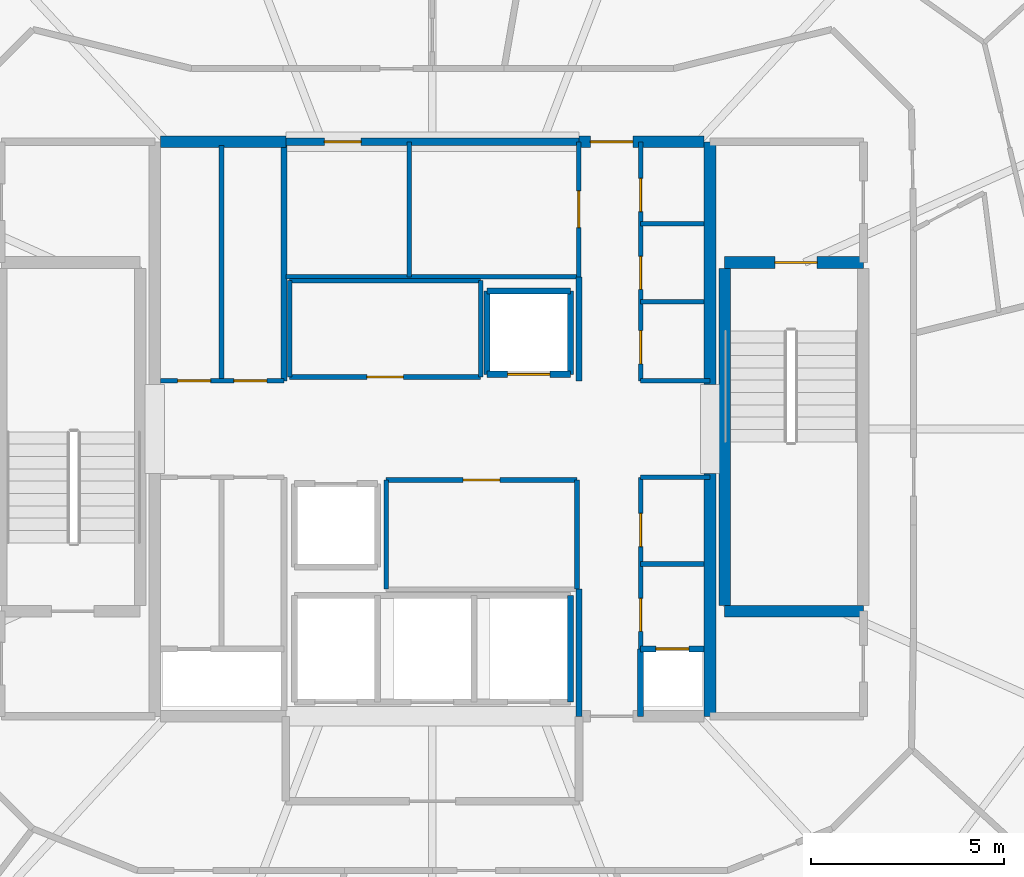
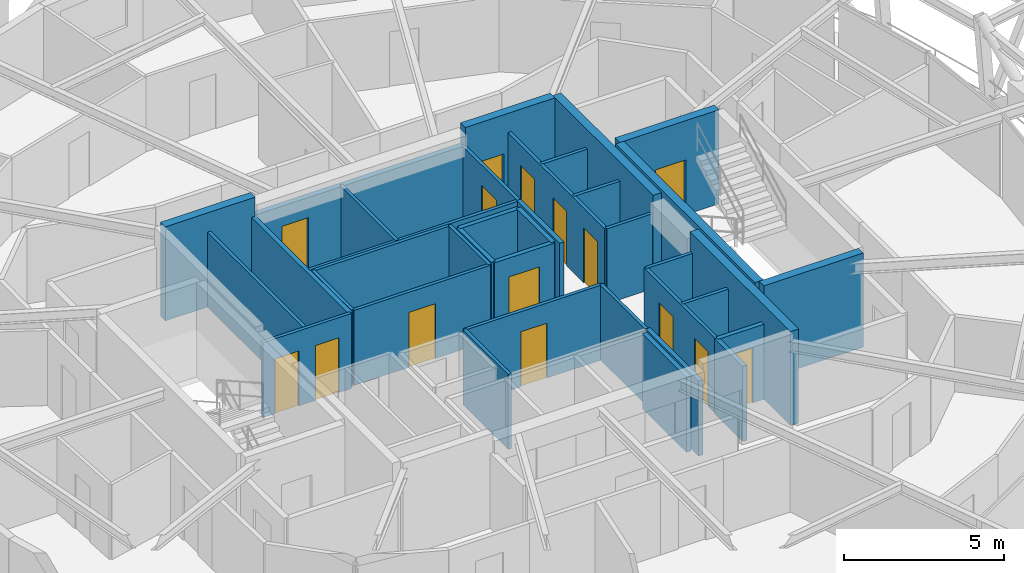
# One storey, part 12 of 15: 37 walls, 15 doors, 15 openings.
"""IFC4 building model written with IfcOpenShell, lengths in metres."""

import ifcopenshell
import ifcopenshell.guid

model = None  # the IFC model being written
_history = None  # IfcOwnerHistory: only IFC2X3 demands one
_inside = {}  # id of a spatial element -> (the spatial element, [elements in it])
_under = {}  # id of a project, library or spatial element -> (it, [spatial elements below it])
_declared = {}  # id of a project -> (the project, [libraries it declares])
_typed = {}  # id of a type object -> (the type object, [elements of that type])
_made_of = {}  # id of a material, layer set ... -> (it, [elements and type objects made of it])


def new_model(schema):
    """Start an empty IFC model of exactly this schema.

    Asked for "IFC4X3", IfcOpenShell would pick the latest addendum, in which some entities
    have other attributes; the version numbers below select the first issue.
    IFC2X3 requires an IfcOwnerHistory on every rooted entity: one is made here for all.
    """
    global model, _history
    if schema == "IFC4X3":
        model = ifcopenshell.file(schema_version=(4, 3, 0, 0))
    else:
        model = ifcopenshell.file(schema=schema)
    _inside.clear()
    _under.clear()
    _declared.clear()
    _typed.clear()
    _made_of.clear()
    _history = None
    if model.schema == "IFC2X3":
        org = make("IfcOrganization", Name="unknown")
        user = make(
            "IfcPersonAndOrganization",
            ThePerson=make("IfcPerson", FamilyName="unknown"),
            TheOrganization=org,
        )
        app = make(
            "IfcApplication",
            ApplicationDeveloper=org,
            Version="unknown",
            ApplicationFullName="unknown",
            ApplicationIdentifier="unknown",
        )
        _history = make(
            "IfcOwnerHistory",
            OwningUser=user,
            OwningApplication=app,
            ChangeAction="ADDED",
            CreationDate=0,
        )
    return model


def make(cls, **values):
    """One entity of the class cls with the attributes given. An attribute that is None is left unset."""
    return model.create_entity(
        cls, **{name: value for name, value in values.items() if value is not None}
    )


def rooted(cls, **values):
    """An entity with a GlobalId (a new one), such as an element, a storey or a relation."""
    return make(cls, GlobalId=ifcopenshell.guid.new(), OwnerHistory=_history, **values)


def si_unit(unit_type, name, prefix=None):
    """IfcSIUnit, for example si_unit("LENGTHUNIT", "METRE", prefix="MILLI")."""
    return make("IfcSIUnit", UnitType=unit_type, Prefix=prefix, Name=name)


def assignment(units):
    """IfcUnitAssignment: the units of a project."""
    return None if units is None else make("IfcUnitAssignment", Units=units)


def point(xyz):
    """IfcCartesianPoint."""
    return None if xyz is None else make("IfcCartesianPoint", Coordinates=xyz)


def direction(xyz):
    """IfcDirection."""
    return None if xyz is None else make("IfcDirection", DirectionRatios=xyz)


def frame(location, z_axis=None, x_axis=None):
    """IfcAxis2Placement3D, a coordinate frame: its origin and axes. An axis left out is left unset."""
    return make(
        "IfcAxis2Placement3D",
        Location=point(location),
        Axis=direction(z_axis),
        RefDirection=direction(x_axis),
    )


def frame_2d(location, x_axis=None):
    """IfcAxis2Placement2D, a coordinate frame in the plane: its origin and x axis."""
    return make(
        "IfcAxis2Placement2D", Location=point(location), RefDirection=direction(x_axis)
    )


def origin():
    """The frame at (0, 0, 0) with its axes left unset."""
    return frame((0.0, 0.0, 0.0))


def place(relative_to, where):
    """IfcLocalPlacement: puts the frame where relative to a parent placement (None: the world)."""
    return make(
        "IfcLocalPlacement", PlacementRelTo=relative_to, RelativePlacement=where
    )


def context(
    kind, dimensions, precision=None, world=None, true_north=None, identifier=None
):
    """IfcGeometricRepresentationContext, for example the 3D "Model" context."""
    return make(
        "IfcGeometricRepresentationContext",
        ContextIdentifier=identifier,
        ContextType=kind,
        CoordinateSpaceDimension=dimensions,
        Precision=precision,
        WorldCoordinateSystem=world,
        TrueNorth=true_north,
    )


def subcontext(parent, identifier, kind, view, scale=None):
    """IfcGeometricRepresentationSubContext, for example "Body" below "Model"."""
    return make(
        "IfcGeometricRepresentationSubContext",
        ContextIdentifier=identifier,
        ContextType=kind,
        ParentContext=parent,
        TargetScale=scale,
        TargetView=view,
    )


def project(units=None, contexts=None):
    """IfcProject with its units and contexts."""
    return rooted(
        "IfcProject",
        Name="project",
        RepresentationContexts=contexts,
        UnitsInContext=assignment(units),
    )


def spatial(cls, under=None, at=None, **own):
    """A site, building, storey or space (cls), placed at a placement, below another one or the project."""
    s = rooted(cls, ObjectPlacement=at, **own)
    if under is not None:
        _under.setdefault(under.id(), (under, []))[1].append(s)
    return s


def profile(cls, at=None, kind="AREA", **sizes):
    """A parametric profile (cls). Its sizes go by their IFC names, for example OverallWidth=200.0."""
    return make(cls, ProfileType=kind, Position=at, **sizes)


def rectangle(**sizes):
    """IfcRectangleProfileDef."""
    return profile("IfcRectangleProfileDef", **sizes)


def extrude(swept, where, along, depth):
    """IfcExtrudedAreaSolid: the profile swept, set in the frame where, extruded along a direction by depth."""
    return make(
        "IfcExtrudedAreaSolid",
        SweptArea=swept,
        Position=where,
        ExtrudedDirection=direction(along),
        Depth=depth,
    )


def shape(context_of_items, identifier, shape_type, items):
    """IfcShapeRepresentation: the items that make up one representation, for example the "Body"."""
    return make(
        "IfcShapeRepresentation",
        ContextOfItems=context_of_items,
        RepresentationIdentifier=identifier,
        RepresentationType=shape_type,
        Items=items,
    )


def material(Name=None, Category=None):
    """IfcMaterial."""
    return make("IfcMaterial", Name=Name, Category=Category)


def layer(
    of_material, thickness, ventilated=None, Name=None, Category=None, Priority=None
):
    """IfcMaterialLayer: one layer of a wall or slab, of a material (None: an air gap)."""
    return make(
        "IfcMaterialLayer",
        Material=of_material,
        LayerThickness=thickness,
        IsVentilated=ventilated,
        Name=Name,
        Category=Category,
        Priority=Priority,
    )


def layer_set(layers, Name=None):
    """IfcMaterialLayerSet."""
    return make("IfcMaterialLayerSet", MaterialLayers=layers, LayerSetName=Name)


def made_of(thing, what):
    """Note that an element or type object is made of a material, layer set ...; save() writes the relation."""
    if what is not None:
        _made_of.setdefault(what.id(), (what, []))[1].append(thing)
    return thing


def type_object(cls, material=None, **own):
    """A type object (cls), such as IfcWallType, which elements share."""
    return made_of(rooted(cls, **own), material)


def element(
    cls,
    number,
    at=None,
    inside=None,
    cuts=None,
    type_object=None,
    material=None,
    context=None,
    identifier="Body",
    shape_type=None,
    held_by="IfcProductDefinitionShape",
    body=None,
    shapes=None,
    **own,
):
    """One element of the class cls, such as IfcWall. Its Tag is "e" and its number.

    at: its placement. inside: the storey or other place that contains it. cuts: it is an
    opening in that element (IfcRelVoidsElement). A single representation is given by context,
    identifier, shape_type and body (its items); several are given by shapes. held_by: the class
    of the entity that holds the representations. save() writes the other relations.
    """
    e = rooted(cls, Tag="e%d" % number, ObjectPlacement=at, **own)
    if body is not None:
        shapes = [shape(context, identifier, shape_type, body)]
    if shapes is not None:
        e.Representation = make(held_by, Representations=shapes)
    if inside is not None:
        _inside.setdefault(inside.id(), (inside, []))[1].append(e)
    if cuts is not None:
        rooted(
            "IfcRelVoidsElement", RelatingBuildingElement=cuts, RelatedOpeningElement=e
        )
    if type_object is not None:
        _typed.setdefault(type_object.id(), (type_object, []))[1].append(e)
    return made_of(e, material)


def fill(opening, filler):
    """IfcRelFillsElement: the door or window that sits in an opening."""
    return rooted(
        "IfcRelFillsElement",
        RelatingOpeningElement=opening,
        RelatedBuildingElement=filler,
    )


def aggregate(whole, parts):
    """IfcRelAggregates: a whole, such as a stair, and the parts it consists of."""
    return rooted("IfcRelAggregates", RelatingObject=whole, RelatedObjects=parts)


def save(model, path):
    """Write the relations noted so far, then the file.

    IfcRelAggregates (storeys below a building ...), IfcRelContainedInSpatialStructure (elements
    in a storey), IfcRelDefinesByType, IfcRelAssociatesMaterial and IfcRelDeclares: one each for
    every whole, place, type object, material and project.
    """
    for whole, parts in _under.values():
        aggregate(whole, parts)
    for where, things in _inside.values():
        rooted(
            "IfcRelContainedInSpatialStructure",
            RelatedElements=things,
            RelatingStructure=where,
        )
    for kind, things in _typed.values():
        rooted("IfcRelDefinesByType", RelatedObjects=things, RelatingType=kind)
    for what, things in _made_of.values():
        rooted("IfcRelAssociatesMaterial", RelatedObjects=things, RelatingMaterial=what)
    for by, libraries in _declared.values():
        rooted("IfcRelDeclares", RelatingContext=by, RelatedDefinitions=libraries)
    model.write(path)


model = new_model("IFC4")

# Units and contexts
model_context = context("Model", 3, precision=1e-05, world=origin(), true_north=direction((0.0, 1.0)))
body_context = subcontext(model_context, "Body", "Model", "MODEL_VIEW")
ifc_project = project(units=[si_unit("LENGTHUNIT", "METRE"), si_unit("AREAUNIT", "SQUARE_METRE"), si_unit("VOLUMEUNIT", "CUBIC_METRE"), si_unit("PLANEANGLEUNIT", "RADIAN"), si_unit("MASSUNIT", "GRAM", prefix="KILO")], contexts=[model_context])

# Site, building, storey
site_placement = place(None, origin())
site = spatial("IfcSite", under=ifc_project, at=site_placement, CompositionType="ELEMENT")
building_placement = place(site_placement, origin())
building = spatial("IfcBuilding", under=site, at=building_placement, Name="Veldorina Hangang Commons", CompositionType="ELEMENT")
storey_placement = place(building_placement, frame((0.0, 0.0, 268.800048828125)))
storey = spatial("IfcBuildingStorey", under=building, at=storey_placement, Name="L70", CompositionType="ELEMENT", Elevation=268.800048828125)

# Walls
ifc_material_1 = material(Name="Concrete C50/60", Category="concrete")
ifc_layer_1 = layer(ifc_material_1, 0.300048828125)
ifc_layer_set_1 = layer_set([ifc_layer_1], Name="Concrete C50/60")
wall_type_1 = type_object("IfcWallType", Name="CW-RC300-C50", PredefinedType="SHEAR", material=ifc_layer_set_1)
for number, where, z_axis, x_axis, name in (
    (1, (39.199951171875, 16.550048828125, 0.0), (0.0, 0.0, 1.0), (0.0, 1.0, 0.0), "L70 E south core shear wall"),
    (2, (39.199951171875, 25.14990234375, 0.0), (0.0, 0.0, 1.0), (0.0, 1.0, 0.0), "L70 E north core shear wall"),
):
    element("IfcWall", number, at=place(storey_placement, frame(where, z_axis=z_axis, x_axis=x_axis)), inside=storey, type_object=wall_type_1, Name=name, PredefinedType="SHEAR", context=body_context, shape_type="SweptSolid", body=[
        extrude(rectangle(XDim=6.300048828125, YDim=0.300048828125, at=frame_2d((3.14990234375, 0.0))), origin(), (0.0, 0.0, 1.0), 3.599853515625),
    ])
wall_1_placement = place(storey_placement, frame((24.949951171875, 31.449951171875, 0.0), z_axis=(0.0, 0.0, 1.0), x_axis=(1.0, 0.0, 0.0)))
element("IfcWall", 3, at=wall_1_placement, inside=storey, type_object=wall_type_1, Name="L70 north-west core shear wall", PredefinedType="SHEAR", context=body_context, shape_type="SweptSolid", body=[
    extrude(rectangle(XDim=3.25, YDim=0.300048828125, at=frame_2d((1.625, 0.0))), origin(), (0.0, 0.0, 1.0), 3.599853515625),
])

# Wall, opening, door
wall_2_placement = place(storey_placement, frame((35.800048828125, 31.449951171875, 0.0), z_axis=(0.0, 0.0, 1.0), x_axis=(1.0, 0.0, 0.0)))
wall_2 = element("IfcWall", 4, at=wall_2_placement, inside=storey, type_object=wall_type_1, Name="L70 north-east core shear wall", PredefinedType="SHEAR", context=body_context, shape_type="SweptSolid", body=[
    extrude(rectangle(XDim=3.25, YDim=0.300048828125, at=frame_2d((1.625, 0.0))), origin(), (0.0, 0.0, 1.0), 3.599853515625),
])
opening_1_placement = place(wall_2_placement, frame((0.300048828125, 0.0, 0.0)))
opening_1 = element("IfcOpeningElement", 5, at=opening_1_placement, cuts=wall_2, Name="Opening D-08", PredefinedType="OPENING", context=body_context, shape_type="SweptSolid", body=[
    extrude(rectangle(XDim=1.10009765625, YDim=2.10009765625, at=frame_2d((0.550048828125, 1.050048828125))), frame((0.0, 0.16015625, 0.0), z_axis=(0.0, -1.0, 0.0), x_axis=(1.0, 0.0, 0.0)), (0.0, 0.0, 1.0), 0.320068359375),
])
ifc_material_2 = material(Name="Steel Fire-Rated Smoke Seal", Category="steel")
door_type_1 = type_object("IfcDoorType", Name="DR-FIRE-1100", OperationType="SINGLE_SWING_RIGHT", PredefinedType="DOOR", material=ifc_material_2)
door_1_placement = place(opening_1_placement, origin())
door_1 = element("IfcDoor", 6, at=door_1_placement, inside=storey, type_object=door_type_1, Name="L70 central lift lobby north corridor door", OperationType="SINGLE_SWING_LEFT", OverallHeight=2.10009765625, OverallWidth=1.10009765625, PredefinedType="DOOR", context=body_context, shape_type="SweptSolid", body=[
    extrude(rectangle(XDim=1.10009765625, YDim=2.10009765625, at=frame_2d((0.550048828125, 1.050048828125))), frame((0.0, 0.02490234375, 0.0), z_axis=(0.0, -1.0, 0.0), x_axis=(1.0, 0.0, 0.0)), (0.0, 0.0, 1.0), 0.050048828125),
])
fill(opening_1, door_1)

# Walls
ifc_layer_2 = layer(ifc_material_1, 0.300048828125)
ifc_layer_set_2 = layer_set([ifc_layer_2], Name="Concrete C50/60")
wall_type_2 = type_object("IfcWallType", Name="SW-STAIR-300", PredefinedType="SHEAR", material=ifc_layer_set_2)
wall_3_placement = place(storey_placement, frame((39.580078125, 19.429931640625, 0.0), z_axis=(0.0, 0.0, 1.0), x_axis=(0.0, 1.0, 0.0)))
element("IfcWall", 7, at=wall_3_placement, inside=storey, type_object=wall_type_2, Name="L70 ST2 inner stair shear wall", PredefinedType="SHEAR", context=body_context, shape_type="SweptSolid", body=[
    extrude(rectangle(XDim=8.739990234375, YDim=0.300048828125, at=frame_2d((4.3701171875, 0.0))), origin(), (0.0, 0.0, 1.0), 3.599853515625),
])
wall_4_placement = place(storey_placement, frame((39.580078125, 19.280029296875, 0.0), z_axis=(0.0, 0.0, 1.0), x_axis=(1.0, 0.0, 0.0)))
element("IfcWall", 8, at=wall_4_placement, inside=storey, type_object=wall_type_2, Name="L70 ST2 south stair shear wall", PredefinedType="SHEAR", context=body_context, shape_type="SweptSolid", body=[
    extrude(rectangle(XDim=3.599853515625, YDim=0.300048828125, at=frame_2d((1.7998046875, 0.0))), origin(), (0.0, 0.0, 1.0), 3.599853515625),
])

# Wall, opening, door
wall_5_placement = place(storey_placement, frame((39.580078125, 28.320068359375, 0.0), z_axis=(0.0, 0.0, 1.0), x_axis=(1.0, 0.0, 0.0)))
wall_5 = element("IfcWall", 9, at=wall_5_placement, inside=storey, type_object=wall_type_2, Name="L70 ST2 north stair shear wall", PredefinedType="SHEAR", context=body_context, shape_type="SweptSolid", body=[
    extrude(rectangle(XDim=3.599853515625, YDim=0.300048828125, at=frame_2d((1.7998046875, 0.0))), origin(), (0.0, 0.0, 1.0), 3.599853515625),
])
opening_2_placement = place(wall_5_placement, frame((1.300048828125, 0.0, 0.0)))
opening_2 = element("IfcOpeningElement", 10, at=opening_2_placement, cuts=wall_5, Name="Opening D-08", PredefinedType="OPENING", context=body_context, shape_type="SweptSolid", body=[
    extrude(rectangle(XDim=1.10009765625, YDim=2.10009765625, at=frame_2d((0.550048828125, 1.050048828125))), frame((0.0, 0.16015625, 0.0), z_axis=(0.0, -1.0, 0.0), x_axis=(1.0, 0.0, 0.0)), (0.0, 0.0, 1.0), 0.320068359375),
])
door_2_placement = place(opening_2_placement, origin())
door_2 = element("IfcDoor", 11, at=door_2_placement, inside=storey, type_object=door_type_1, Name="L70 Special Escape Stair ST-2 door", OperationType="SINGLE_SWING_RIGHT", OverallHeight=2.10009765625, OverallWidth=1.10009765625, PredefinedType="DOOR", context=body_context, shape_type="SweptSolid", body=[
    extrude(rectangle(XDim=1.10009765625, YDim=2.10009765625, at=frame_2d((0.550048828125, 1.050048828125))), frame((0.0, 0.02490234375, 0.0), z_axis=(0.0, -1.0, 0.0), x_axis=(1.0, 0.0, 0.0)), (0.0, 0.0, 1.0), 0.050048828125),
])
fill(opening_2, door_2)

# Walls
ifc_material_3 = material(Name="Gypsum Fire-Rated Twin Stud Wall", Category="gypsum")
ifc_layer_3 = layer(ifc_material_3, 0.159912109375)
ifc_layer_set_3 = layer_set([ifc_layer_3], Name="Gypsum Fire-Rated Twin Stud Wall")
wall_type_3 = type_object("IfcWallType", Name="WL-FIRE-160", PredefinedType="SOLIDWALL", material=ifc_layer_set_3)
wall_6_placement = place(storey_placement, frame((35.800048828125, 16.550048828125, 0.0), z_axis=(0.0, 0.0, 1.0), x_axis=(0.0, 1.0, 0.0)))
element("IfcWall", 12, at=wall_6_placement, inside=storey, type_object=wall_type_3, Name="L70 Lift passage SW wall 009", PredefinedType="SOLIDWALL", context=body_context, shape_type="SweptSolid", body=[
    extrude(rectangle(XDim=3.300048828125, YDim=0.159912109375, at=frame_2d((1.64990234375, 0.0))), origin(), (0.0, 0.0, 1.0), 2.869873046875),
])
wall_7_placement = place(storey_placement, frame((37.39990234375, 16.550048828125, 0.0), z_axis=(0.0, 0.0, 1.0), x_axis=(0.0, 1.0, 0.0)))
element("IfcWall", 13, at=wall_7_placement, inside=storey, type_object=wall_type_3, Name="L70 Lift passage SE stub 010", PredefinedType="SOLIDWALL", context=body_context, shape_type="SweptSolid", body=[
    extrude(rectangle(XDim=1.75, YDim=0.159912109375, at=frame_2d((0.875, 0.0))), origin(), (0.0, 0.0, 1.0), 2.869873046875),
])
wall_8_placement = place(storey_placement, frame((35.800048828125, 25.25, 0.0), z_axis=(0.0, 0.0, 1.0), x_axis=(0.0, 1.0, 0.0)))
element("IfcWall", 14, at=wall_8_placement, inside=storey, type_object=wall_type_3, Name="L70 Lift passage NW lower wall 011", PredefinedType="SOLIDWALL", context=body_context, shape_type="SweptSolid", body=[
    extrude(rectangle(XDim=2.699951171875, YDim=0.159912109375, at=frame_2d((1.35009765625, 0.0))), origin(), (0.0, 0.0, 1.0), 2.869873046875),
])

# Wall, opening, door
wall_9_placement = place(storey_placement, frame((33.419921875, 25.419921875, 0.0), z_axis=(0.0, 0.0, 1.0), x_axis=(1.0, 0.0, 0.0)))
wall_9 = element("IfcWall", 15, at=wall_9_placement, inside=storey, type_object=wall_type_3, Name="L70 Mid-high front shaft wall 015", PredefinedType="SOLIDWALL", context=body_context, shape_type="SweptSolid", body=[
    extrude(rectangle(XDim=2.16015625, YDim=0.159912109375, at=frame_2d((1.080078125, 0.0))), origin(), (0.0, 0.0, 1.0), 2.869873046875),
])
opening_3_placement = place(wall_9_placement, frame((0.530029296875, 0.0, 0.0)))
opening_3 = element("IfcOpeningElement", 16, at=opening_3_placement, cuts=wall_9, Name="Opening LD-01", PredefinedType="OPENING", context=body_context, shape_type="SweptSolid", body=[
    extrude(rectangle(XDim=1.10009765625, YDim=2.14990234375, at=frame_2d((0.550048828125, 1.074951171875))), frame((0.0, 0.08984375, 0.0), z_axis=(0.0, -1.0, 0.0), x_axis=(1.0, 0.0, 0.0)), (0.0, 0.0, 1.0), 0.179931640625),
])
ifc_material_4 = material(Name="Stainless Steel Brushed Lift Door", Category="steel")
door_type_2 = type_object("IfcDoorType", Name="DR-LIFT-1100", OperationType="SLIDING_TO_LEFT", PredefinedType="DOOR", material=ifc_material_4)
door_3_placement = place(opening_3_placement, origin())
door_3 = element("IfcDoor", 17, at=door_3_placement, inside=storey, type_object=door_type_2, Name="L70 Lift PL-H1 landing door 006", OperationType="SLIDING_TO_RIGHT", OverallHeight=2.14990234375, OverallWidth=1.10009765625, PredefinedType="DOOR", context=body_context, shape_type="SweptSolid", body=[
    extrude(rectangle(XDim=1.10009765625, YDim=2.14990234375, at=frame_2d((0.550048828125, 1.074951171875))), frame((0.0, 0.02490234375, 0.0), z_axis=(0.0, -1.0, 0.0), x_axis=(1.0, 0.0, 0.0)), (0.0, 0.0, 1.0), 0.050048828125),
])
fill(opening_3, door_3)

# Walls
for number, where, z_axis, x_axis, name in (
    (18, (33.419921875, 27.580078125, 0.0), (0.0, 0.0, 1.0), (1.0, 0.0, 0.0), "L70 Mid-high rear shaft wall 016"),
    (19, (33.419921875, 25.419921875, 0.0), (0.0, 0.0, 1.0), (0.0, 1.0, 0.0), "L70 PL-H1 west shaft wall 017"),
    (20, (35.580078125, 25.419921875, 0.0), (0.0, 0.0, 1.0), (0.0, 1.0, 0.0), "L70 PL-H1 east shaft wall 018"),
):
    element("IfcWall", number, at=place(storey_placement, frame(where, z_axis=z_axis, x_axis=x_axis)), inside=storey, type_object=wall_type_3, Name=name, PredefinedType="SOLIDWALL", context=body_context, shape_type="SweptSolid", body=[
        extrude(rectangle(XDim=2.16015625, YDim=0.159912109375, at=frame_2d((1.080078125, 0.0))), origin(), (0.0, 0.0, 1.0), 2.869873046875),
    ])
wall_10_placement = place(storey_placement, frame((35.580078125, 16.919921875, 0.0), z_axis=(0.0, 0.0, 1.0), x_axis=(0.0, 1.0, 0.0)))
element("IfcWall", 21, at=wall_10_placement, inside=storey, type_object=wall_type_3, Name="L70 EVL-1 east shaft wall 028", PredefinedType="SOLIDWALL", context=body_context, shape_type="SweptSolid", body=[
    extrude(rectangle(XDim=2.760009765625, YDim=0.159912109375, at=frame_2d((1.3798828125, 0.0))), origin(), (0.0, 0.0, 1.0), 2.869873046875),
])

# Wall, opening, door
wall_11_placement = place(storey_placement, frame((37.39990234375, 18.300048828125, 0.0), z_axis=(0.0, 0.0, 1.0), x_axis=(1.0, 0.0, 0.0)))
wall_11 = element("IfcWall", 22, at=wall_11_placement, inside=storey, type_object=wall_type_3, Name="L70 Plumbing riser wall 043", PredefinedType="SOLIDWALL", context=body_context, shape_type="SweptSolid", body=[
    extrude(rectangle(XDim=1.650146484375, YDim=0.159912109375, at=frame_2d((0.8251953125, 0.0))), origin(), (0.0, 0.0, 1.0), 2.869873046875),
])
opening_4_placement = place(wall_11_placement, frame((0.39501953125, 0.0, 0.0)))
opening_4 = element("IfcOpeningElement", 23, at=opening_4_placement, cuts=wall_11, Name="Opening D-01N", PredefinedType="OPENING", context=body_context, shape_type="SweptSolid", body=[
    extrude(rectangle(XDim=0.860107421875, YDim=2.10009765625, at=frame_2d((0.43017578125, 1.050048828125))), frame((0.0, 0.08984375, 0.0), z_axis=(0.0, -1.0, 0.0), x_axis=(1.0, 0.0, 0.0)), (0.0, 0.0, 1.0), 0.179931640625),
])
ifc_material_5 = material(Name="Timber Fire-Rated Core", Category="wood")
door_type_3 = type_object("IfcDoorType", Name="DR-INT-860", OperationType="SINGLE_SWING_LEFT", PredefinedType="DOOR", material=ifc_material_5)
door_4_placement = place(opening_4_placement, origin())
door_4 = element("IfcDoor", 24, at=door_4_placement, inside=storey, type_object=door_type_3, Name="L70 Plumbing riser access door 016", OperationType="SINGLE_SWING_RIGHT", OverallHeight=2.10009765625, OverallWidth=0.860107421875, PredefinedType="TRAPDOOR", context=body_context, shape_type="SweptSolid", body=[
    extrude(rectangle(XDim=0.860107421875, YDim=2.10009765625, at=frame_2d((0.43017578125, 1.050048828125))), frame((0.0, 0.02490234375, 0.0), z_axis=(0.0, -1.0, 0.0), x_axis=(1.0, 0.0, 0.0)), (0.0, 0.0, 1.0), 0.050048828125),
])
fill(opening_4, door_4)

# Wall
wall_12_placement = place(storey_placement, frame((28.14990234375, 25.25, 0.0), z_axis=(0.0, 0.0, 1.0), x_axis=(0.0, 1.0, 0.0)))
element("IfcWall", 25, at=wall_12_placement, inside=storey, type_object=wall_type_3, Name="L70 NW core inner wall 044", PredefinedType="SOLIDWALL", context=body_context, shape_type="SweptSolid", body=[
    extrude(rectangle(XDim=6.10009765625, YDim=0.159912109375, at=frame_2d((3.050048828125, 0.0))), origin(), (0.0, 0.0, 1.0), 2.869873046875),
])

# Wall, opening, door
ifc_material_6 = material(Name="Concrete Blockwork Fire Wall C30/37", Category="masonry")
ifc_layer_4 = layer(ifc_material_6, 0.199951171875)
ifc_layer_set_4 = layer_set([ifc_layer_4], Name="Concrete Blockwork Fire Wall C30/37")
wall_type_4 = type_object("IfcWallType", Name="WL-FIRE-200", PredefinedType="SOLIDWALL", material=ifc_layer_set_4)
wall_13_placement = place(storey_placement, frame((28.199951171875, 31.449951171875, 0.0), z_axis=(0.0, 0.0, 1.0), x_axis=(1.0, 0.0, 0.0)))
wall_13 = element("IfcWall", 26, at=wall_13_placement, inside=storey, type_object=wall_type_4, Name="L70 Merged north core wall 029", PredefinedType="SOLIDWALL", context=body_context, shape_type="SweptSolid", body=[
    extrude(rectangle(XDim=7.60009765625, YDim=0.199951171875, at=frame_2d((3.800048828125, 0.0))), origin(), (0.0, 0.0, 1.0), 2.869873046875),
])
opening_5_placement = place(wall_13_placement, frame((1.0, 0.0, 0.0)))
opening_5 = element("IfcOpeningElement", 27, at=opening_5_placement, cuts=wall_13, Name="Opening D-02", PredefinedType="OPENING", context=body_context, shape_type="SweptSolid", body=[
    extrude(rectangle(XDim=0.949951171875, YDim=2.10009765625, at=frame_2d((0.47509765625, 1.050048828125))), frame((0.0, 0.10986328125, 0.0), z_axis=(0.0, -1.0, 0.0), x_axis=(1.0, 0.0, 0.0)), (0.0, 0.0, 1.0), 0.219970703125),
])
ifc_material_7 = material(Name="Timber Solid Core Acoustic", Category="wood")
door_type_4 = type_object("IfcDoorType", Name="DR-INT-950", OperationType="SINGLE_SWING_LEFT", PredefinedType="DOOR", material=ifc_material_7)
door_5_placement = place(opening_5_placement, origin())
door_5 = element("IfcDoor", 28, at=door_5_placement, inside=storey, type_object=door_type_4, Name="L70 Core study alcove door 011", OperationType="SINGLE_SWING_LEFT", OverallHeight=2.10009765625, OverallWidth=0.949951171875, PredefinedType="DOOR", context=body_context, shape_type="SweptSolid", body=[
    extrude(rectangle(XDim=0.949951171875, YDim=2.10009765625, at=frame_2d((0.47509765625, 1.050048828125))), frame((0.0, 0.02490234375, 0.0), z_axis=(0.0, -1.0, 0.0), x_axis=(1.0, 0.0, 0.0)), (0.0, 0.0, 1.0), 0.050048828125),
])
fill(opening_5, door_5)

# Wall
ifc_material_8 = material(Name="Gypsum Acoustic Stud Partition", Category="gypsum")
ifc_layer_5 = layer(ifc_material_8, 0.1201171875)
ifc_layer_set_5 = layer_set([ifc_layer_5], Name="Gypsum Acoustic Stud Partition")
wall_type_5 = type_object("IfcWallType", Name="WL-PART-120", PredefinedType="PARTITIONING", material=ifc_layer_set_5)
wall_14_placement = place(storey_placement, frame((28.199951171875, 27.949951171875, 0.0), z_axis=(0.0, 0.0, 1.0), x_axis=(1.0, 0.0, 0.0)))
element("IfcWall", 29, at=wall_14_placement, inside=storey, type_object=wall_type_5, Name="L70 Merged north south wall 030", PredefinedType="PARTITIONING", context=body_context, shape_type="SweptSolid", body=[
    extrude(rectangle(XDim=7.60009765625, YDim=0.1201171875, at=frame_2d((3.800048828125, 0.0))), origin(), (0.0, 0.0, 1.0), 2.869873046875),
])

# Wall, opening, door
wall_15_placement = place(storey_placement, frame((35.800048828125, 27.949951171875, 0.0), z_axis=(0.0, 0.0, 1.0), x_axis=(0.0, 1.0, 0.0)))
wall_15 = element("IfcWall", 30, at=wall_15_placement, inside=storey, type_object=wall_type_5, Name="L70 Merged north east wall 031", PredefinedType="PARTITIONING", context=body_context, shape_type="SweptSolid", body=[
    extrude(rectangle(XDim=3.5, YDim=0.1201171875, at=frame_2d((1.75, 0.0))), origin(), (0.0, 0.0, 1.0), 2.869873046875),
])
opening_6_placement = place(wall_15_placement, frame((1.27490234375, 0.0, 0.0)))
opening_6 = element("IfcOpeningElement", 31, at=opening_6_placement, cuts=wall_15, Name="Opening D-02", PredefinedType="OPENING", context=body_context, shape_type="SweptSolid", body=[
    extrude(rectangle(XDim=0.949951171875, YDim=2.10009765625, at=frame_2d((0.47509765625, 1.050048828125))), frame((0.0, 0.070068359375, 0.0), z_axis=(0.0, -1.0, 0.0), x_axis=(1.0, 0.0, 0.0)), (0.0, 0.0, 1.0), 0.14013671875),
])
door_6_placement = place(opening_6_placement, origin())
door_6 = element("IfcDoor", 32, at=door_6_placement, inside=storey, type_object=door_type_4, Name="L70 Core linen store door 012", OperationType="SINGLE_SWING_RIGHT", OverallHeight=2.10009765625, OverallWidth=0.949951171875, PredefinedType="DOOR", context=body_context, shape_type="SweptSolid", body=[
    extrude(rectangle(XDim=0.949951171875, YDim=2.10009765625, at=frame_2d((0.47509765625, 1.050048828125))), frame((0.0, 0.02490234375, 0.0), z_axis=(0.0, -1.0, 0.0), x_axis=(1.0, 0.0, 0.0)), (0.0, 0.0, 1.0), 0.050048828125),
])
fill(opening_6, door_6)

# Wall
wall_16_placement = place(storey_placement, frame((31.39990234375, 27.949951171875, 0.0), z_axis=(0.0, 0.0, 1.0), x_axis=(0.0, 1.0, 0.0)))
element("IfcWall", 33, at=wall_16_placement, inside=storey, type_object=wall_type_5, Name="L70 Merged north split wall 032", PredefinedType="PARTITIONING", context=body_context, shape_type="SweptSolid", body=[
    extrude(rectangle(XDim=3.5, YDim=0.1201171875, at=frame_2d((1.75, 0.0))), origin(), (0.0, 0.0, 1.0), 2.869873046875),
])

# Wall, opening, door
wall_17_placement = place(storey_placement, frame((28.300048828125, 25.35009765625, 0.0), z_axis=(0.0, 0.0, 1.0), x_axis=(1.0, 0.0, 0.0)))
wall_17 = element("IfcWall", 34, at=wall_17_placement, inside=storey, type_object=wall_type_5, Name="L70 Merged mid-bank south wall 033", PredefinedType="PARTITIONING", context=body_context, shape_type="SweptSolid", body=[
    extrude(rectangle(XDim=4.949951171875, YDim=0.1201171875, at=frame_2d((2.47509765625, 0.0))), origin(), (0.0, 0.0, 1.0), 2.869873046875),
])
opening_7_placement = place(wall_17_placement, frame((2.0, 0.0, 0.0)))
opening_7 = element("IfcOpeningElement", 35, at=opening_7_placement, cuts=wall_17, Name="Opening D-02", PredefinedType="OPENING", context=body_context, shape_type="SweptSolid", body=[
    extrude(rectangle(XDim=0.949951171875, YDim=2.10009765625, at=frame_2d((0.47509765625, 1.050048828125))), frame((0.0, 0.070068359375, 0.0), z_axis=(0.0, -1.0, 0.0), x_axis=(1.0, 0.0, 0.0)), (0.0, 0.0, 1.0), 0.14013671875),
])
door_7_placement = place(opening_7_placement, origin())
door_7 = element("IfcDoor", 36, at=door_7_placement, inside=storey, type_object=door_type_4, Name="L70 Quiet study room door 013", OperationType="SINGLE_SWING_LEFT", OverallHeight=2.10009765625, OverallWidth=0.949951171875, PredefinedType="DOOR", context=body_context, shape_type="SweptSolid", body=[
    extrude(rectangle(XDim=0.949951171875, YDim=2.10009765625, at=frame_2d((0.47509765625, 1.050048828125))), frame((0.0, 0.02490234375, 0.0), z_axis=(0.0, -1.0, 0.0), x_axis=(1.0, 0.0, 0.0)), (0.0, 0.0, 1.0), 0.050048828125),
])
fill(opening_7, door_7)

# Walls
wall_18_placement = place(storey_placement, frame((28.300048828125, 27.85009765625, 0.0), z_axis=(0.0, 0.0, 1.0), x_axis=(1.0, 0.0, 0.0)))
element("IfcWall", 37, at=wall_18_placement, inside=storey, type_object=wall_type_5, Name="L70 Merged mid-bank north wall 034", PredefinedType="PARTITIONING", context=body_context, shape_type="SweptSolid", body=[
    extrude(rectangle(XDim=4.949951171875, YDim=0.1201171875, at=frame_2d((2.47509765625, 0.0))), origin(), (0.0, 0.0, 1.0), 2.869873046875),
])
for number, where, z_axis, x_axis, name in (
    (38, (28.300048828125, 25.35009765625, 0.0), (0.0, 0.0, 1.0), (0.0, 1.0, 0.0), "L70 Merged mid-bank west wall 035"),
    (39, (33.25, 25.35009765625, 0.0), (0.0, 0.0, 1.0), (0.0, 1.0, 0.0), "L70 Merged mid-bank east wall 036"),
):
    element("IfcWall", number, at=place(storey_placement, frame(where, z_axis=z_axis, x_axis=x_axis)), inside=storey, type_object=wall_type_5, Name=name, PredefinedType="PARTITIONING", context=body_context, shape_type="SweptSolid", body=[
        extrude(rectangle(XDim=2.5, YDim=0.1201171875, at=frame_2d((1.25, 0.0))), origin(), (0.0, 0.0, 1.0), 2.869873046875),
    ])

# Wall, opening, door
wall_19_placement = place(storey_placement, frame((30.800048828125, 22.679931640625, 0.0), z_axis=(0.0, 0.0, 1.0), x_axis=(1.0, 0.0, 0.0)))
wall_19 = element("IfcWall", 40, at=wall_19_placement, inside=storey, type_object=wall_type_5, Name="L70 Merged shuttle north wall 037", PredefinedType="PARTITIONING", context=body_context, shape_type="SweptSolid", body=[
    extrude(rectangle(XDim=4.949951171875, YDim=0.1201171875, at=frame_2d((2.47509765625, 0.0))), origin(), (0.0, 0.0, 1.0), 2.869873046875),
])
opening_8_placement = place(wall_19_placement, frame((2.0, 0.0, 0.0)))
opening_8 = element("IfcOpeningElement", 41, at=opening_8_placement, cuts=wall_19, Name="Opening D-02", PredefinedType="OPENING", context=body_context, shape_type="SweptSolid", body=[
    extrude(rectangle(XDim=0.949951171875, YDim=2.10009765625, at=frame_2d((0.47509765625, 1.050048828125))), frame((0.0, 0.070068359375, 0.0), z_axis=(0.0, -1.0, 0.0), x_axis=(1.0, 0.0, 0.0)), (0.0, 0.0, 1.0), 0.14013671875),
])
door_8_placement = place(opening_8_placement, origin())
door_8 = element("IfcDoor", 42, at=door_8_placement, inside=storey, type_object=door_type_4, Name="L70 Floor tea pantry door 014", OperationType="SINGLE_SWING_RIGHT", OverallHeight=2.10009765625, OverallWidth=0.949951171875, PredefinedType="DOOR", context=body_context, shape_type="SweptSolid", body=[
    extrude(rectangle(XDim=0.949951171875, YDim=2.10009765625, at=frame_2d((0.47509765625, 1.050048828125))), frame((0.0, 0.02490234375, 0.0), z_axis=(0.0, -1.0, 0.0), x_axis=(1.0, 0.0, 0.0)), (0.0, 0.0, 1.0), 0.050048828125),
])
fill(opening_8, door_8)

# Walls
for number, where, z_axis, x_axis, name in (
    (43, (30.800048828125, 19.85009765625, 0.0), (0.0, 0.0, 1.0), (0.0, 1.0, 0.0), "L70 Merged shuttle west wall 039"),
    (44, (35.75, 19.85009765625, 0.0), (0.0, 0.0, 1.0), (0.0, 1.0, 0.0), "L70 Merged shuttle east wall 040"),
):
    element("IfcWall", number, at=place(storey_placement, frame(where, z_axis=z_axis, x_axis=x_axis)), inside=storey, type_object=wall_type_5, Name=name, PredefinedType="PARTITIONING", context=body_context, shape_type="SweptSolid", body=[
        extrude(rectangle(XDim=2.829833984375, YDim=0.1201171875, at=frame_2d((1.4150390625, 0.0))), origin(), (0.0, 0.0, 1.0), 2.869873046875),
    ])

# Wall, openings, doors
wall_20_placement = place(storey_placement, frame((24.949951171875, 25.25, 0.0), z_axis=(0.0, 0.0, 1.0), x_axis=(1.0, 0.0, 0.0)))
wall_20 = element("IfcWall", 45, at=wall_20_placement, inside=storey, type_object=wall_type_5, Name="L70 NW service south wall 045", PredefinedType="PARTITIONING", context=body_context, shape_type="SweptSolid", body=[
    extrude(rectangle(XDim=3.199951171875, YDim=0.1201171875, at=frame_2d((1.60009765625, 0.0))), origin(), (0.0, 0.0, 1.0), 2.869873046875),
])
opening_9_placement = place(wall_20_placement, frame((0.43994140625, 0.0, 0.0)))
opening_9 = element("IfcOpeningElement", 46, at=opening_9_placement, cuts=wall_20, Name="Opening D-01", PredefinedType="OPENING", context=body_context, shape_type="SweptSolid", body=[
    extrude(rectangle(XDim=0.860107421875, YDim=2.10009765625, at=frame_2d((0.43017578125, 1.050048828125))), frame((0.0, 0.070068359375, 0.0), z_axis=(0.0, -1.0, 0.0), x_axis=(1.0, 0.0, 0.0)), (0.0, 0.0, 1.0), 0.14013671875),
])
opening_10_placement = place(wall_20_placement, frame((1.89990234375, 0.0, 0.0)))
opening_10 = element("IfcOpeningElement", 47, at=opening_10_placement, cuts=wall_20, Name="Opening D-01", PredefinedType="OPENING", context=body_context, shape_type="SweptSolid", body=[
    extrude(rectangle(XDim=0.860107421875, YDim=2.10009765625, at=frame_2d((0.43017578125, 1.050048828125))), frame((0.0, 0.070068359375, 0.0), z_axis=(0.0, -1.0, 0.0), x_axis=(1.0, 0.0, 0.0)), (0.0, 0.0, 1.0), 0.14013671875),
])
ifc_material_9 = material(Name="Timber Moisture-Resistant Core", Category="wood")
door_type_5 = type_object("IfcDoorType", Name="DR-WET-860", OperationType="SINGLE_SWING_LEFT", PredefinedType="DOOR", material=ifc_material_9)
door_9_placement = place(opening_9_placement, origin())
door_9 = element("IfcDoor", 48, at=door_9_placement, inside=storey, type_object=door_type_5, Name="L70 Linen west door 017", OperationType="SINGLE_SWING_LEFT", OverallHeight=2.10009765625, OverallWidth=0.860107421875, PredefinedType="DOOR", context=body_context, shape_type="SweptSolid", body=[
    extrude(rectangle(XDim=0.860107421875, YDim=2.10009765625, at=frame_2d((0.43017578125, 1.050048828125))), frame((0.0, 0.02490234375, 0.0), z_axis=(0.0, -1.0, 0.0), x_axis=(1.0, 0.0, 0.0)), (0.0, 0.0, 1.0), 0.050048828125),
])
fill(opening_9, door_9)
door_10_placement = place(opening_10_placement, origin())
door_10 = element("IfcDoor", 49, at=door_10_placement, inside=storey, type_object=door_type_5, Name="L70 Data closet door 018", OperationType="SINGLE_SWING_RIGHT", OverallHeight=2.10009765625, OverallWidth=0.860107421875, PredefinedType="DOOR", context=body_context, shape_type="SweptSolid", body=[
    extrude(rectangle(XDim=0.860107421875, YDim=2.10009765625, at=frame_2d((0.43017578125, 1.050048828125))), frame((0.0, 0.02490234375, 0.0), z_axis=(0.0, -1.0, 0.0), x_axis=(1.0, 0.0, 0.0)), (0.0, 0.0, 1.0), 0.050048828125),
])
fill(opening_10, door_10)

wall_21_placement = place(storey_placement, frame((37.39990234375, 25.25, 0.0), z_axis=(0.0, 0.0, 1.0), x_axis=(0.0, 1.0, 0.0)))
wall_21 = element("IfcWall", 50, at=wall_21_placement, inside=storey, type_object=wall_type_5, Name="L70 NE strip lobby wall 047", PredefinedType="PARTITIONING", context=body_context, shape_type="SweptSolid", body=[
    extrude(rectangle(XDim=6.199951171875, YDim=0.1201171875, at=frame_2d((3.10009765625, 0.0))), origin(), (0.0, 0.0, 1.0), 2.869873046875),
])
opening_11_placement = place(wall_21_placement, frame((0.43994140625, 0.0, 0.0)))
opening_11 = element("IfcOpeningElement", 51, at=opening_11_placement, cuts=wall_21, Name="Opening D-01", PredefinedType="OPENING", context=body_context, shape_type="SweptSolid", body=[
    extrude(rectangle(XDim=0.860107421875, YDim=2.10009765625, at=frame_2d((0.43017578125, 1.050048828125))), frame((0.0, 0.070068359375, 0.0), z_axis=(0.0, -1.0, 0.0), x_axis=(1.0, 0.0, 0.0)), (0.0, 0.0, 1.0), 0.14013671875),
])
opening_12_placement = place(wall_21_placement, frame((2.3701171875, 0.0, 0.0)))
opening_12 = element("IfcOpeningElement", 52, at=opening_12_placement, cuts=wall_21, Name="Opening D-01", PredefinedType="OPENING", context=body_context, shape_type="SweptSolid", body=[
    extrude(rectangle(XDim=0.860107421875, YDim=2.10009765625, at=frame_2d((0.43017578125, 1.050048828125))), frame((0.0, 0.070068359375, 0.0), z_axis=(0.0, -1.0, 0.0), x_axis=(1.0, 0.0, 0.0)), (0.0, 0.0, 1.0), 0.14013671875),
])
opening_13_placement = place(wall_21_placement, frame((4.389892578125, 0.0, 0.0)))
opening_13 = element("IfcOpeningElement", 53, at=opening_13_placement, cuts=wall_21, Name="Opening D-01", PredefinedType="OPENING", context=body_context, shape_type="SweptSolid", body=[
    extrude(rectangle(XDim=0.860107421875, YDim=2.10009765625, at=frame_2d((0.43017578125, 1.050048828125))), frame((0.0, 0.070068359375, 0.0), z_axis=(0.0, -1.0, 0.0), x_axis=(1.0, 0.0, 0.0)), (0.0, 0.0, 1.0), 0.14013671875),
])
door_11_placement = place(opening_11_placement, origin())
door_11 = element("IfcDoor", 54, at=door_11_placement, inside=storey, type_object=door_type_5, Name="L70 Fiber Riser Closet door 021", OperationType="SINGLE_SWING_LEFT", OverallHeight=2.10009765625, OverallWidth=0.860107421875, PredefinedType="DOOR", context=body_context, shape_type="SweptSolid", body=[
    extrude(rectangle(XDim=0.860107421875, YDim=2.10009765625, at=frame_2d((0.43017578125, 1.050048828125))), frame((0.0, 0.02490234375, 0.0), z_axis=(0.0, -1.0, 0.0), x_axis=(1.0, 0.0, 0.0)), (0.0, 0.0, 1.0), 0.050048828125),
])
fill(opening_11, door_11)
door_12_placement = place(opening_12_placement, origin())
door_12 = element("IfcDoor", 55, at=door_12_placement, inside=storey, type_object=door_type_5, Name="L70 AV Rack Closet door 022", OperationType="SINGLE_SWING_RIGHT", OverallHeight=2.10009765625, OverallWidth=0.860107421875, PredefinedType="DOOR", context=body_context, shape_type="SweptSolid", body=[
    extrude(rectangle(XDim=0.860107421875, YDim=2.10009765625, at=frame_2d((0.43017578125, 1.050048828125))), frame((0.0, 0.02490234375, 0.0), z_axis=(0.0, -1.0, 0.0), x_axis=(1.0, 0.0, 0.0)), (0.0, 0.0, 1.0), 0.050048828125),
])
fill(opening_12, door_12)
door_13_placement = place(opening_13_placement, origin())
door_13 = element("IfcDoor", 56, at=door_13_placement, inside=storey, type_object=door_type_5, Name="L70 Supply Closet door 023", OperationType="SINGLE_SWING_LEFT", OverallHeight=2.10009765625, OverallWidth=0.860107421875, PredefinedType="DOOR", context=body_context, shape_type="SweptSolid", body=[
    extrude(rectangle(XDim=0.860107421875, YDim=2.10009765625, at=frame_2d((0.43017578125, 1.050048828125))), frame((0.0, 0.02490234375, 0.0), z_axis=(0.0, -1.0, 0.0), x_axis=(1.0, 0.0, 0.0)), (0.0, 0.0, 1.0), 0.050048828125),
])
fill(opening_13, door_13)

# Wall
wall_22_placement = place(storey_placement, frame((37.39990234375, 25.25, 0.0), z_axis=(0.0, 0.0, 1.0), x_axis=(1.0, 0.0, 0.0)))
element("IfcWall", 57, at=wall_22_placement, inside=storey, type_object=wall_type_5, Name="L70 NE strip south return wall 048", PredefinedType="PARTITIONING", context=body_context, shape_type="SweptSolid", body=[
    extrude(rectangle(XDim=1.800048828125, YDim=0.1201171875, at=frame_2d((0.89990234375, 0.0))), origin(), (0.0, 0.0, 1.0), 2.869873046875),
])

# Wall, openings, doors
wall_23_placement = place(storey_placement, frame((37.39990234375, 18.300048828125, 0.0), z_axis=(0.0, 0.0, 1.0), x_axis=(0.0, 1.0, 0.0)))
wall_23 = element("IfcWall", 58, at=wall_23_placement, inside=storey, type_object=wall_type_5, Name="L70 SE strip lobby wall 049", PredefinedType="PARTITIONING", context=body_context, shape_type="SweptSolid", body=[
    extrude(rectangle(XDim=4.449951171875, YDim=0.1201171875, at=frame_2d((2.22509765625, 0.0))), origin(), (0.0, 0.0, 1.0), 2.869873046875),
])
opening_14_placement = place(wall_23_placement, frame((0.449951171875, 0.0, 0.0)))
opening_14 = element("IfcOpeningElement", 59, at=opening_14_placement, cuts=wall_23, Name="Opening D-01", PredefinedType="OPENING", context=body_context, shape_type="SweptSolid", body=[
    extrude(rectangle(XDim=0.860107421875, YDim=2.10009765625, at=frame_2d((0.43017578125, 1.050048828125))), frame((0.0, 0.070068359375, 0.0), z_axis=(0.0, -1.0, 0.0), x_axis=(1.0, 0.0, 0.0)), (0.0, 0.0, 1.0), 0.14013671875),
])
opening_15_placement = place(wall_23_placement, frame((2.64990234375, 0.0, 0.0)))
opening_15 = element("IfcOpeningElement", 60, at=opening_15_placement, cuts=wall_23, Name="Opening D-01", PredefinedType="OPENING", context=body_context, shape_type="SweptSolid", body=[
    extrude(rectangle(XDim=0.860107421875, YDim=2.10009765625, at=frame_2d((0.43017578125, 1.050048828125))), frame((0.0, 0.070068359375, 0.0), z_axis=(0.0, -1.0, 0.0), x_axis=(1.0, 0.0, 0.0)), (0.0, 0.0, 1.0), 0.14013671875),
])
door_14_placement = place(opening_14_placement, origin())
door_14 = element("IfcDoor", 61, at=door_14_placement, inside=storey, type_object=door_type_5, Name="L70 Janitor sink door 024", OperationType="SINGLE_SWING_RIGHT", OverallHeight=2.10009765625, OverallWidth=0.860107421875, PredefinedType="DOOR", context=body_context, shape_type="SweptSolid", body=[
    extrude(rectangle(XDim=0.860107421875, YDim=2.10009765625, at=frame_2d((0.43017578125, 1.050048828125))), frame((0.0, 0.02490234375, 0.0), z_axis=(0.0, -1.0, 0.0), x_axis=(1.0, 0.0, 0.0)), (0.0, 0.0, 1.0), 0.050048828125),
])
fill(opening_14, door_14)
door_15_placement = place(opening_15_placement, origin())
door_15 = element("IfcDoor", 62, at=door_15_placement, inside=storey, type_object=door_type_5, Name="L70 Fire panel door 025", OperationType="SINGLE_SWING_LEFT", OverallHeight=2.10009765625, OverallWidth=0.860107421875, PredefinedType="DOOR", context=body_context, shape_type="SweptSolid", body=[
    extrude(rectangle(XDim=0.860107421875, YDim=2.10009765625, at=frame_2d((0.43017578125, 1.050048828125))), frame((0.0, 0.02490234375, 0.0), z_axis=(0.0, -1.0, 0.0), x_axis=(1.0, 0.0, 0.0)), (0.0, 0.0, 1.0), 0.050048828125),
])
fill(opening_15, door_15)

# Walls
wall_24_placement = place(storey_placement, frame((37.39990234375, 22.75, 0.0), z_axis=(0.0, 0.0, 1.0), x_axis=(1.0, 0.0, 0.0)))
element("IfcWall", 63, at=wall_24_placement, inside=storey, type_object=wall_type_5, Name="L70 SE strip north return wall 050", PredefinedType="PARTITIONING", context=body_context, shape_type="SweptSolid", body=[
    extrude(rectangle(XDim=1.800048828125, YDim=0.1201171875, at=frame_2d((0.89990234375, 0.0))), origin(), (0.0, 0.0, 1.0), 2.869873046875),
])
wall_25_placement = place(storey_placement, frame((26.530029296875, 25.25, 0.0), z_axis=(0.0, 0.0, 1.0), x_axis=(0.0, 1.0, 0.0)))
element("IfcWall", 64, at=wall_25_placement, inside=storey, type_object=wall_type_5, Name="L70 NW vertical split 051", PredefinedType="PARTITIONING", context=body_context, shape_type="SweptSolid", body=[
    extrude(rectangle(XDim=6.10009765625, YDim=0.1201171875, at=frame_2d((3.050048828125, 0.0))), origin(), (0.0, 0.0, 1.0), 2.869873046875),
])
for number, where, z_axis, x_axis, name in (
    (65, (37.39990234375, 27.300048828125, 0.0), (0.0, 0.0, 1.0), (1.0, 0.0, 0.0), "L70 NE split 1 053"),
    (66, (37.39990234375, 29.330078125, 0.0), (0.0, 0.0, 1.0), (1.0, 0.0, 0.0), "L70 NE split 2 054"),
    (67, (37.39990234375, 20.5, 0.0), (0.0, 0.0, 1.0), (1.0, 0.0, 0.0), "L70 SE horizontal split 055"),
):
    element("IfcWall", number, at=place(storey_placement, frame(where, z_axis=z_axis, x_axis=x_axis)), inside=storey, type_object=wall_type_5, Name=name, PredefinedType="PARTITIONING", context=body_context, shape_type="SweptSolid", body=[
        extrude(rectangle(XDim=1.650146484375, YDim=0.1201171875, at=frame_2d((0.8251953125, 0.0))), origin(), (0.0, 0.0, 1.0), 2.869873046875),
    ])

save(model, "model.ifc")
